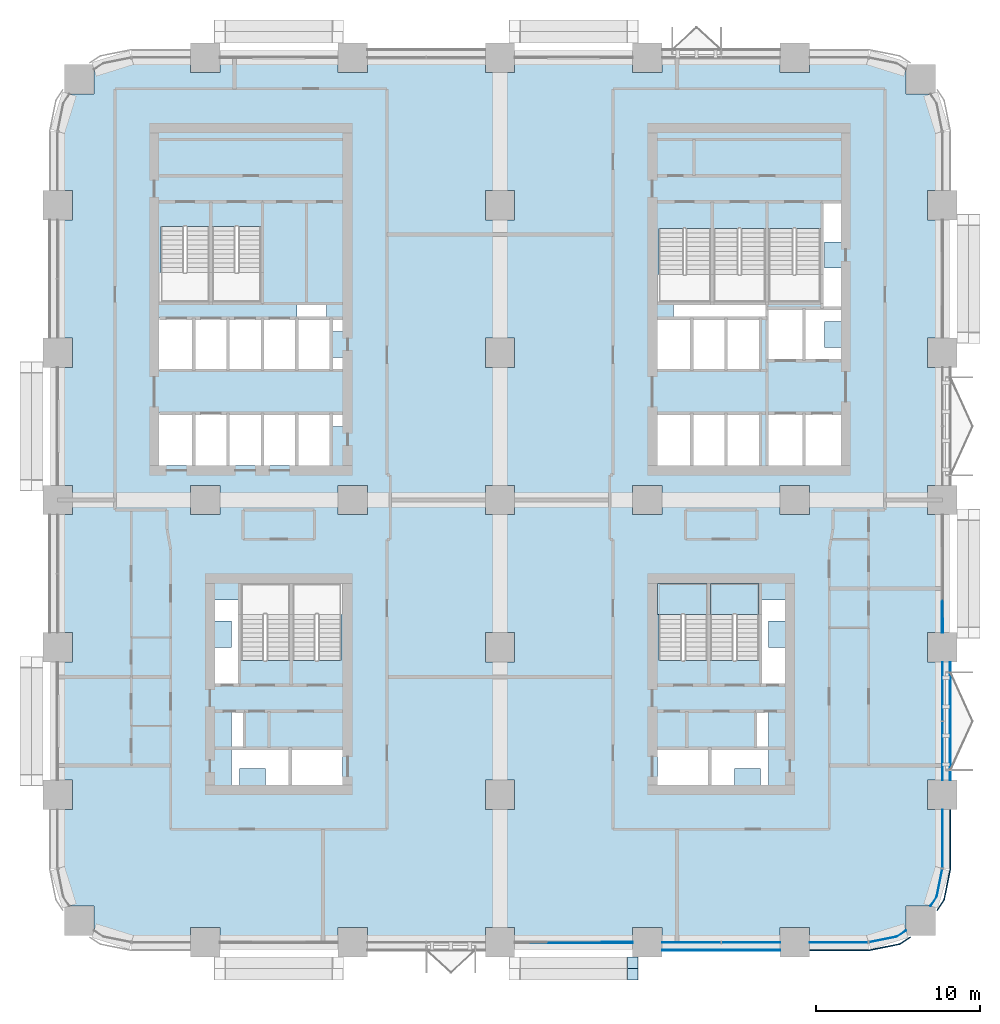
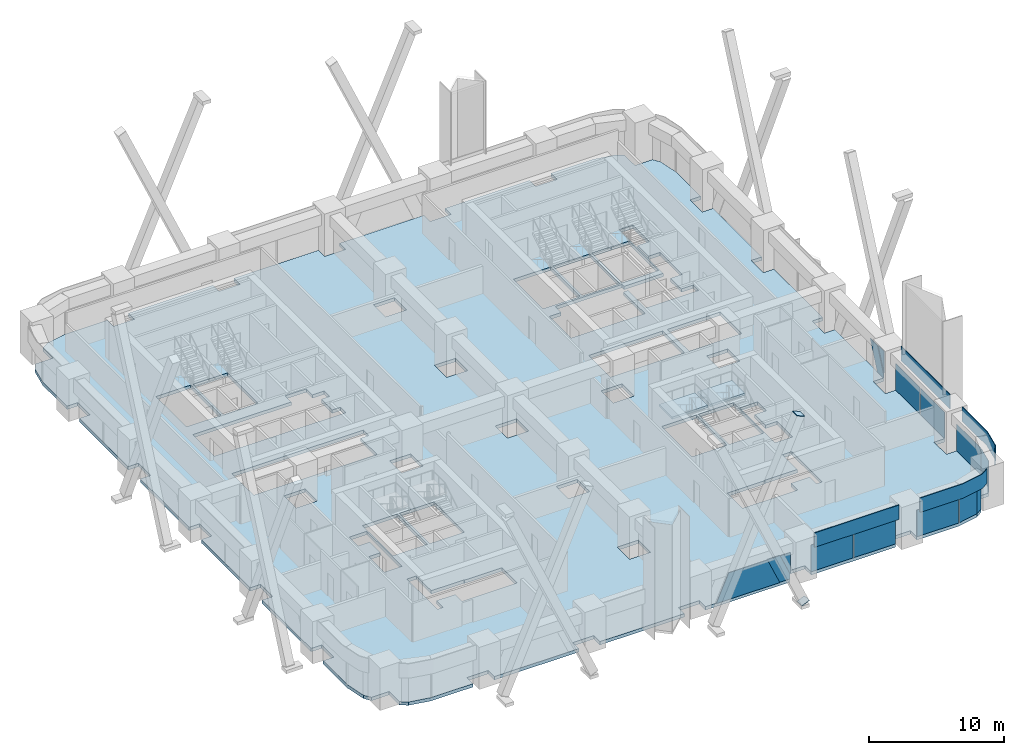
# One storey, part 12 of 24: 19 plates, 3 slabs, 8 elements without a shape of their own.
"""IFC4 building model written with IfcOpenShell, lengths in metres."""

from ifc_helpers import new_model, si_unit, direction, frame, origin, origin_2d, place, context, subcontext, project, spatial, polyline, rectangle, outline, extrude, material, layer, layer_set, type_object, element, aggregate, save


model = new_model("IFC4")

# Units and contexts
model_context = context("Model", 3, precision=1e-05, world=origin(), true_north=direction((0.0, 1.0)))
body_context = subcontext(model_context, "Body", "Model", "MODEL_VIEW")
ifc_project = project(units=[si_unit("LENGTHUNIT", "METRE"), si_unit("AREAUNIT", "SQUARE_METRE"), si_unit("VOLUMEUNIT", "CUBIC_METRE"), si_unit("PLANEANGLEUNIT", "RADIAN"), si_unit("MASSUNIT", "GRAM", prefix="KILO")], contexts=[model_context])

# Site, building, storey
site_placement = place(None, origin())
site = spatial("IfcSite", under=ifc_project, at=site_placement, CompositionType="ELEMENT")
building_placement = place(site_placement, origin())
building = spatial("IfcBuilding", under=site, at=building_placement, Name="Tessera Arch", CompositionType="ELEMENT")
storey_placement = place(building_placement, frame((0.0, 0.0, 61.39990234375)))
storey = spatial("IfcBuildingStorey", under=building, at=storey_placement, Name="L13", CompositionType="ELEMENT", Elevation=61.39990234375)

# Curtain wall, plates
ifc_material_1 = material(Name="CW1 curtain wall")
curtain_wall_type_1 = type_object("IfcCurtainWallType", Name="CW1 curtain wall", PredefinedType="NOTDEFINED", material=ifc_material_1)
curtain_wall_1_placement = place(storey_placement, origin())
curtain_wall_1 = element("IfcCurtainWall", 1, at=curtain_wall_1_placement, inside=storey, type_object=curtain_wall_type_1, Name="CW1 curtain wall S0.0/3 L13", PredefinedType="NOTDEFINED")
ifc_material_2 = material(Name="Clear low-e glass", Category="glass")
ifc_material_3 = material(Name="Clear low-e glass", Category="glass")
ifc_layer_1 = layer(ifc_material_3, 0.028076171875)
ifc_layer_set_1 = layer_set([ifc_layer_1], Name="CW1 glass panel")
plate_type_1 = type_object("IfcPlateType", Name="CW1 glass panel", PredefinedType="CURTAIN_PANEL", material=ifc_layer_set_1)
plate_1_placement = place(storey_placement, frame((38.68505859375, 0.0, 0.000244140625), z_axis=(0.0, 0.0, 1.0), x_axis=(1.0, 0.0, 0.0)))
plate_1 = element("IfcPlate", 2, at=plate_1_placement, type_object=plate_type_1, material=ifc_material_2, Name="CW1 glass panel S0.0/3 1.1.1", PredefinedType="CURTAIN_PANEL", context=body_context, shape_type="SweptSolid", body=[
    extrude(rectangle(XDim=3.570068359375, YDim=0.028076171875, at=origin_2d()), origin(), (0.0, 0.0, 1.0), 2.39990234375),
])
plate_2_placement = place(storey_placement, frame((42.31494140625, 0.0, 0.000244140625), z_axis=(0.0, 0.0, 1.0), x_axis=(1.0, 0.0, 0.0)))
plate_2 = element("IfcPlate", 3, at=plate_2_placement, type_object=plate_type_1, material=ifc_material_2, Name="CW1 glass panel S0.0/3 1.2.1", PredefinedType="CURTAIN_PANEL", context=body_context, shape_type="SweptSolid", body=[
    extrude(rectangle(XDim=3.570068359375, YDim=0.028076171875, at=origin_2d()), origin(), (0.0, 0.0, 1.0), 2.39990234375),
])

curtain_wall_2_placement = place(storey_placement, origin())
curtain_wall_2 = element("IfcCurtainWall", 4, at=curtain_wall_2_placement, inside=storey, type_object=curtain_wall_type_1, Name="CW1 curtain wall E54.0/1 L13", PredefinedType="NOTDEFINED")
plate_3_placement = place(storey_placement, frame((54.0, 11.68505859375, 0.000244140625), z_axis=(0.0, 0.0, 1.0), x_axis=(0.0, 1.0, 0.0)))
plate_3 = element("IfcPlate", 5, at=plate_3_placement, type_object=plate_type_1, material=ifc_material_2, Name="CW1 glass panel E54.0/1 1.1.1", PredefinedType="CURTAIN_PANEL", context=body_context, shape_type="SweptSolid", body=[
    extrude(rectangle(XDim=3.570068359375, YDim=0.028076171875, at=origin_2d()), origin(), (0.0, 0.0, 1.0), 2.39990234375),
])
plate_4_placement = place(storey_placement, frame((54.0, 15.31494140625, 0.000244140625), z_axis=(0.0, 0.0, 1.0), x_axis=(0.0, 1.0, 0.0)))
plate_4 = element("IfcPlate", 6, at=plate_4_placement, type_object=plate_type_1, material=ifc_material_2, Name="CW1 glass panel E54.0/1 1.2.1", PredefinedType="CURTAIN_PANEL", context=body_context, shape_type="SweptSolid", body=[
    extrude(rectangle(XDim=3.570068359375, YDim=0.028076171875, at=origin_2d()), origin(), (0.0, 0.0, 1.0), 2.39990234375),
])

# Plate
ifc_material_4 = material(Name="Pale anodised aluminium panel", Category="aluminium")
ifc_layer_2 = layer(ifc_material_4, 0.06005859375)
ifc_layer_set_2 = layer_set([ifc_layer_2], Name="CW1 spandrel panel")
plate_type_2 = type_object("IfcPlateType", Name="CW1 spandrel panel", PredefinedType="CURTAIN_PANEL", material=ifc_layer_set_2)
plate_5_placement = place(storey_placement, frame((40.5, -0.47998046875, 2.5), z_axis=(0.0, 0.0, 1.0), x_axis=(1.0, 0.0, 0.0)))
plate_5 = element("IfcPlate", 7, at=plate_5_placement, type_object=plate_type_2, Name="CW1 spandrel panel S0.0/3", PredefinedType="CURTAIN_PANEL", context=body_context, shape_type="SweptSolid", body=[
    extrude(rectangle(XDim=7.199951171875, YDim=0.06005859375, at=origin_2d()), origin(), (0.0, 0.0, 1.0), 1.300048828125),
])

aggregate(curtain_wall_1, [plate_1, plate_2, plate_5])

plate_6_placement = place(storey_placement, frame((54.47998046875, 13.5, 2.5), z_axis=(0.0, 0.0, 1.0), x_axis=(0.0, 1.0, 0.0)))
plate_6 = element("IfcPlate", 8, at=plate_6_placement, type_object=plate_type_2, Name="CW1 spandrel panel E54.0/1", PredefinedType="CURTAIN_PANEL", context=body_context, shape_type="SweptSolid", body=[
    extrude(rectangle(XDim=7.199951171875, YDim=0.06005859375, at=origin_2d()), origin(), (0.0, 0.0, 1.0), 1.300048828125),
])

aggregate(curtain_wall_2, [plate_3, plate_4, plate_6])

# Curtain wall, plates
ifc_material_5 = material(Name="CW2 curtain wall")
curtain_wall_type_2 = type_object("IfcCurtainWallType", Name="CW2 curtain wall", PredefinedType="NOTDEFINED", material=ifc_material_5)
curtain_wall_3_placement = place(storey_placement, origin())
curtain_wall_3 = element("IfcCurtainWall", 9, at=curtain_wall_3_placement, inside=storey, type_object=curtain_wall_type_2, Name="CW2 curtain wall S0.0/4 L13", PredefinedType="NOTDEFINED")
ifc_material_6 = material(Name="Clear low-e glass", Category="glass")
ifc_layer_3 = layer(ifc_material_6, 0.028076171875)
ifc_layer_set_3 = layer_set([ifc_layer_3], Name="CW2 glass panel")
plate_type_3 = type_object("IfcPlateType", Name="CW2 glass panel", PredefinedType="CURTAIN_PANEL", material=ifc_layer_set_3)
plate_7_placement = place(storey_placement, frame((47.679931640625, 0.0, 0.000244140625), z_axis=(0.0, 0.0, 1.0), x_axis=(1.0, 0.0, 0.0)))
plate_7 = element("IfcPlate", 10, at=plate_7_placement, type_object=plate_type_3, material=ifc_material_2, Name="CW2 glass panel S0.0/4 1.1", PredefinedType="CURTAIN_PANEL", context=body_context, shape_type="SweptSolid", body=[
    extrude(rectangle(XDim=3.56005859375, YDim=0.028076171875, at=origin_2d()), origin(), (0.0, 0.0, 1.0), 2.39990234375),
])
plate_8_placement = place(storey_placement, origin())
plate_8 = element("IfcPlate", 11, at=plate_8_placement, type_object=plate_type_3, material=ifc_material_2, Name="CW2 curved glass panel S0.0/4 2.1", PredefinedType="CURTAIN_PANEL", context=body_context, shape_type="SweptSolid", body=[
    extrude(outline(polyline([(51.216552734375, 0.355712890625), (49.53662109375, 0.021484375), (49.5419921875, -0.005859375), (51.2275390625, 0.329345703125), (51.789794921875, 0.705078125), (51.774169921875, 0.728271484375), (51.216552734375, 0.355712890625)])), origin(), (0.0, 0.0, 1.0), 2.400146484375),
])

curtain_wall_4_placement = place(storey_placement, origin())
curtain_wall_4 = element("IfcCurtainWall", 12, at=curtain_wall_4_placement, inside=storey, type_object=curtain_wall_type_2, Name="CW2 curtain wall E54.0/0 L13", PredefinedType="NOTDEFINED")
plate_9_placement = place(storey_placement, frame((54.0, 6.320068359375, 0.000244140625), z_axis=(0.0, 0.0, 1.0), x_axis=(0.0, 1.0, 0.0)))
plate_9 = element("IfcPlate", 13, at=plate_9_placement, type_object=plate_type_3, material=ifc_material_2, Name="CW2 glass panel E54.0/0 1.1", PredefinedType="CURTAIN_PANEL", context=body_context, shape_type="SweptSolid", body=[
    extrude(rectangle(XDim=3.56005859375, YDim=0.028076171875, at=origin_2d()), origin(), (0.0, 0.0, 1.0), 2.39990234375),
])
plate_10_placement = place(storey_placement, origin())
plate_10 = element("IfcPlate", 14, at=plate_10_placement, type_object=plate_type_3, material=ifc_material_2, Name="CW2 curved glass panel E54.0/0 2.1", PredefinedType="CURTAIN_PANEL", context=body_context, shape_type="SweptSolid", body=[
    extrude(outline(polyline([(53.644287109375, 2.783447265625), (53.271728515625, 2.225830078125), (53.294921875, 2.210205078125), (53.670654296875, 2.7724609375), (54.005859375, 4.4580078125), (53.978515625, 4.46337890625), (53.644287109375, 2.783447265625)])), origin(), (0.0, 0.0, 1.0), 2.400146484375),
])

# Plate
ifc_material_7 = material(Name="Pale anodised aluminium panel", Category="aluminium")
ifc_layer_4 = layer(ifc_material_7, 0.06005859375)
ifc_layer_set_4 = layer_set([ifc_layer_4], Name="CW2 spandrel panel")
plate_type_4 = type_object("IfcPlateType", Name="CW2 spandrel panel", PredefinedType="CURTAIN_PANEL", material=ifc_layer_set_4)
plate_11_placement = place(storey_placement, frame((0.0, 0.0, 2.5)))
plate_11 = element("IfcPlate", 15, at=plate_11_placement, type_object=plate_type_4, Name="CW2 spandrel panel S0.0/4", PredefinedType="CURTAIN_PANEL", context=body_context, shape_type="SweptSolid", body=[
    extrude(outline(polyline([(49.499267578125, -0.449951171875), (45.89990234375, -0.449951171875), (45.89990234375, -0.510009765625), (49.500732421875, -0.510009765625), (49.550048828125, -0.507568359375), (49.598876953125, -0.500244140625), (51.322265625, -0.157470703125), (51.3701171875, -0.1455078125), (51.417236328125, -0.128662109375), (51.462646484375, -0.107177734375), (51.5048828125, -0.08203125), (52.0654296875, 0.292724609375), (52.031982421875, 0.342529296875), (51.47265625, -0.03125), (51.434326171875, -0.05419921875), (51.394287109375, -0.0732421875), (51.352783203125, -0.088134765625), (51.30908203125, -0.09912109375), (49.588623046875, -0.441162109375), (49.544189453125, -0.44775390625), (49.499267578125, -0.449951171875)])), origin(), (0.0, 0.0, 1.0), 1.300048828125),
])

aggregate(curtain_wall_3, [plate_7, plate_8, plate_11])

plate_12_placement = place(storey_placement, frame((0.0, 0.0, 2.5)))
plate_12 = element("IfcPlate", 16, at=plate_12_placement, type_object=plate_type_4, Name="CW2 spandrel panel E54.0/0", PredefinedType="CURTAIN_PANEL", context=body_context, shape_type="SweptSolid", body=[
    extrude(outline(polyline([(54.03125, 2.52734375), (53.657470703125, 1.968017578125), (53.707275390625, 1.9345703125), (54.08203125, 2.4951171875), (54.107177734375, 2.537353515625), (54.128662109375, 2.582763671875), (54.1455078125, 2.6298828125), (54.157470703125, 2.677734375), (54.500244140625, 4.401123046875), (54.507568359375, 4.449951171875), (54.510009765625, 4.499267578125), (54.510009765625, 8.10009765625), (54.449951171875, 8.10009765625), (54.449951171875, 4.500732421875), (54.44775390625, 4.455810546875), (54.441162109375, 4.411376953125), (54.09912109375, 2.69091796875), (54.088134765625, 2.647216796875), (54.0732421875, 2.605712890625), (54.05419921875, 2.565673828125), (54.03125, 2.52734375)])), origin(), (0.0, 0.0, 1.0), 1.300048828125),
])

aggregate(curtain_wall_4, [plate_9, plate_10, plate_12])

# Curtain wall, plate
ifc_material_8 = material(Name="CW3 curtain wall")
curtain_wall_type_3 = type_object("IfcCurtainWallType", Name="CW3 curtain wall", PredefinedType="NOTDEFINED", material=ifc_material_8)
curtain_wall_5_placement = place(storey_placement, origin())
curtain_wall_5 = element("IfcCurtainWall", 17, at=curtain_wall_5_placement, inside=storey, type_object=curtain_wall_type_3, Name="CW3 curtain wall S0.0/2 L13", PredefinedType="NOTDEFINED")
ifc_material_9 = material(Name="Pale anodised aluminium panel", Category="aluminium")
ifc_layer_5 = layer(ifc_material_9, 0.06005859375)
ifc_layer_set_5 = layer_set([ifc_layer_5], Name="CW3 diagonal panel")
plate_type_5 = type_object("IfcPlateType", Name="CW3 diagonal panel", PredefinedType="CURTAIN_PANEL", material=ifc_layer_set_5)
plate_13_placement = place(storey_placement, frame((35.10009765625, -0.030029296875, 0.0), z_axis=(0.0, -1.0, 0.0), x_axis=(0.0, 0.0, 1.0)))
plate_13 = element("IfcPlate", 18, at=plate_13_placement, type_object=plate_type_5, Name="CW3 diagonal panel S0.0/2 1", PredefinedType="CURTAIN_PANEL", context=body_context, shape_type="SweptSolid", body=[
    extrude(outline(polyline([(0.0, 0.0), (0.4365234375, 0.0), (2.400146484375, 0.8623046875), (2.400146484375, 1.94775390625), (0.0, 0.89404296875), (0.0, 0.0)])), origin(), (0.0, 0.0, -1.0), 0.06005859375),
])

curtain_wall_6_placement = place(storey_placement, origin())
curtain_wall_6 = element("IfcCurtainWall", 19, at=curtain_wall_6_placement, inside=storey, type_object=curtain_wall_type_3, Name="CW3 curtain wall E54.0/2 L13", PredefinedType="NOTDEFINED")
plate_14_placement = place(storey_placement, frame((54.030029296875, 20.84765625, 2.400146484375), z_axis=(1.0, 0.0, 0.0), x_axis=(0.0, -1.0, 0.0)))
plate_14 = element("IfcPlate", 20, at=plate_14_placement, type_object=plate_type_5, Name="CW3 diagonal panel E54.0/2 2", PredefinedType="CURTAIN_PANEL", context=body_context, shape_type="SweptSolid", body=[
    extrude(outline(polyline([(0.0, 0.0), (1.08544921875, 0.0), (1.94775390625, 1.963623046875), (1.94775390625, 2.400146484375), (1.0537109375, 2.400146484375), (0.0, 0.0)])), origin(), (0.0, 0.0, -1.0), 0.06005859375),
])

# Plate
ifc_material_10 = material(Name="Clear low-e glass", Category="glass")
ifc_layer_6 = layer(ifc_material_10, 0.028076171875)
ifc_layer_set_6 = layer_set([ifc_layer_6], Name="CW3 glass panel")
plate_type_6 = type_object("IfcPlateType", Name="CW3 glass panel", PredefinedType="CURTAIN_PANEL", material=ifc_layer_set_6)
plate_15_placement = place(storey_placement, frame((33.15234375, -0.05810546875, 2.400146484375), z_axis=(0.0, -1.0, 0.0), x_axis=(-1.0, 0.0, 0.0)))
plate_15 = element("IfcPlate", 21, at=plate_15_placement, type_object=plate_type_6, material=ifc_material_2, Name="CW3 triangulated glass panel S0.0/2 2", PredefinedType="CURTAIN_PANEL", context=body_context, shape_type="SweptSolid", body=[
    extrude(outline(polyline([(0.0, 0.0), (3.3046875, 0.0), (4.3583984375, 2.400146484375), (-1.0537109375, 2.400146484375), (0.0, 0.0)])), origin(), (0.0, 0.0, -1.0), 0.028076171875),
])

plate_16_placement = place(storey_placement, frame((35.10009765625, -0.05810546875, 2.400146484375), z_axis=(0.0, -1.0, 0.0), x_axis=(-1.0, 0.0, 0.0)))
plate_16 = element("IfcPlate", 22, at=plate_16_placement, type_object=plate_type_6, material=ifc_material_2, Name="CW3 triangulated glass panel S0.0/2 3", PredefinedType="CURTAIN_PANEL", context=body_context, shape_type="SweptSolid", body=[
    extrude(outline(polyline([(0.0, 0.0), (0.8623046875, 0.0), (0.0, 1.963623046875), (0.0, 0.0)])), origin(), (0.0, 0.0, -1.0), 0.028076171875),
])

aggregate(curtain_wall_5, [plate_15, plate_16, plate_13])

plate_17_placement = place(storey_placement, frame((54.05810546875, 18.89990234375, 2.400146484375), z_axis=(1.0, 0.0, 0.0), x_axis=(0.0, 0.0, -1.0)))
plate_17 = element("IfcPlate", 23, at=plate_17_placement, type_object=plate_type_6, material=ifc_material_2, Name="CW3 triangulated glass panel E54.0/2 1", PredefinedType="CURTAIN_PANEL", context=body_context, shape_type="SweptSolid", body=[
    extrude(outline(polyline([(0.0, 0.0), (1.963623046875, 0.0), (0.0, 0.8623046875), (0.0, 0.0)])), origin(), (0.0, 0.0, -1.0), 0.028076171875),
])

aggregate(curtain_wall_6, [plate_17, plate_14])

# Plates
ifc_material_11 = material(Name="Steel A572 Gr50", Category="steel")
ifc_layer_7 = layer(ifc_material_11, 0.0400390625)
ifc_layer_set_7 = layer_set([ifc_layer_7], Name="End plate BOX 700x700x50")
plate_type_7 = type_object("IfcPlateType", Name="End plate BOX 700x700x50", PredefinedType="SHEET", material=ifc_layer_set_7)
for number, where, z_axis, x_axis, name in (
    (24, (35.10009765625, -1.25, 15.60009765625), (0.397607437634, 0.0, 0.91755562531), (0.0, 1.0, 0.0), "End plate BOX 700x700x50 S0.0-2 A2 L13"),
    (25, (35.115966796875, -1.949951171875, -0.83642578125), (-0.397607437634, 0.0, 0.91755562531), (0.0, -1.0, 0.0), "End plate BOX 700x700x50 S0.0-2 B1 L13"),
):
    element("IfcPlate", number, at=place(storey_placement, frame(where, z_axis=z_axis, x_axis=x_axis)), inside=storey, type_object=plate_type_7, Name=name, PredefinedType="SHEET", context=body_context, shape_type="SweptSolid", body=[
        extrude(rectangle(XDim=0.699951171875, YDim=0.699951171875, at=origin_2d()), origin(), (0.0, 0.0, 1.0), 0.039794921875),
    ])

# Slab
ifc_material_12 = material(Name="Concrete C40/50", Category="concrete")
ifc_layer_8 = layer(ifc_material_12, 0.300048828125)
ifc_layer_set_8 = layer_set([ifc_layer_8], Name="Floor slab 300 Concrete C40/50")
slab_type_1 = type_object("IfcSlabType", Name="Floor slab 300 Concrete C40/50", PredefinedType="FLOOR", material=ifc_layer_set_8)
slab_1_placement = place(storey_placement, frame((0.0, 0.0, -0.2998046875)))
element("IfcSlab", 26, at=slab_1_placement, inside=storey, type_object=slab_type_1, Name="Floor slab L13 1", PredefinedType="FLOOR", context=body_context, shape_type="SweptSolid", body=[
    extrude(outline(polyline([(4.5, 0.0), (2.77783203125, 0.342529296875), (2.218017578125, 0.716552734375), (2.218017578125, 2.218017578125), (0.716552734375, 2.218017578125), (0.342529296875, 2.77783203125), (0.0, 4.5), (0.0, 8.10009765625), (0.89990234375, 8.10009765625), (0.89990234375, 9.89990234375), (0.0, 9.89990234375), (0.0, 17.10009765625), (0.89990234375, 17.10009765625), (0.89990234375, 18.89990234375), (0.0, 18.89990234375), (0.0, 26.10009765625), (0.89990234375, 26.10009765625), (0.89990234375, 27.89990234375), (0.0, 27.89990234375), (0.0, 35.10009765625), (0.89990234375, 35.10009765625), (0.89990234375, 36.89990234375), (0.0, 36.89990234375), (0.0, 44.10009765625), (0.89990234375, 44.10009765625), (0.89990234375, 45.89990234375), (0.0, 45.89990234375), (0.0, 49.5), (0.342529296875, 51.22216796875), (0.716552734375, 51.781982421875), (2.218017578125, 51.781982421875), (2.218017578125, 53.283447265625), (2.77783203125, 53.657470703125), (4.5, 54.0), (8.10009765625, 54.0), (8.10009765625, 53.10009765625), (9.89990234375, 53.10009765625), (9.89990234375, 54.0), (17.10009765625, 54.0), (17.10009765625, 53.10009765625), (18.89990234375, 53.10009765625), (18.89990234375, 54.0), (26.10009765625, 54.0), (26.10009765625, 53.10009765625), (27.89990234375, 53.10009765625), (27.89990234375, 54.0), (35.10009765625, 54.0), (35.10009765625, 53.10009765625), (36.89990234375, 53.10009765625), (36.89990234375, 54.0), (44.10009765625, 54.0), (44.10009765625, 53.10009765625), (45.89990234375, 53.10009765625), (45.89990234375, 54.0), (49.5, 54.0), (51.22216796875, 53.657470703125), (51.781982421875, 53.283447265625), (51.781982421875, 51.781982421875), (53.283447265625, 51.781982421875), (53.657470703125, 51.22216796875), (54.0, 49.5), (54.0, 45.89990234375), (53.10009765625, 45.89990234375), (53.10009765625, 44.10009765625), (54.0, 44.10009765625), (54.0, 36.89990234375), (53.10009765625, 36.89990234375), (53.10009765625, 35.10009765625), (54.0, 35.10009765625), (54.0, 27.89990234375), (53.10009765625, 27.89990234375), (53.10009765625, 26.10009765625), (54.0, 26.10009765625), (54.0, 18.89990234375), (53.10009765625, 18.89990234375), (53.10009765625, 17.10009765625), (54.0, 17.10009765625), (54.0, 9.89990234375), (53.10009765625, 9.89990234375), (53.10009765625, 8.10009765625), (54.0, 8.10009765625), (54.0, 4.5), (53.657470703125, 2.77783203125), (53.283447265625, 2.218017578125), (51.781982421875, 2.218017578125), (51.781982421875, 0.716552734375), (51.22216796875, 0.342529296875), (49.5, 0.0), (45.89990234375, 0.0), (45.89990234375, 0.89990234375), (44.10009765625, 0.89990234375), (44.10009765625, 0.0), (36.89990234375, 0.0), (36.89990234375, 0.89990234375), (35.10009765625, 0.89990234375), (35.10009765625, 0.0), (27.89990234375, 0.0), (27.89990234375, 0.89990234375), (26.10009765625, 0.89990234375), (26.10009765625, 0.0), (18.89990234375, 0.0), (18.89990234375, 0.89990234375), (17.10009765625, 0.89990234375), (17.10009765625, 0.0), (9.89990234375, 0.0), (9.89990234375, 0.89990234375), (8.10009765625, 0.89990234375), (8.10009765625, 0.0), (4.5, 0.0)]), holes=[polyline([(11.10009765625, 9.60009765625), (11.10009765625, 10.60009765625), (12.699951171875, 10.60009765625), (12.699951171875, 9.60009765625), (14.199951171875, 9.60009765625), (17.39990234375, 9.60009765625), (17.39990234375, 11.85009765625), (14.199951171875, 11.85009765625), (14.199951171875, 11.89990234375), (11.39990234375, 11.89990234375), (11.39990234375, 14.10009765625), (10.60009765625, 14.10009765625), (10.60009765625, 11.89990234375), (10.60009765625, 9.60009765625), (11.10009765625, 9.60009765625)]), polyline([(9.60009765625, 19.60009765625), (10.60009765625, 19.60009765625), (10.60009765625, 18.0), (9.60009765625, 18.0), (9.60009765625, 15.699951171875), (11.10009765625, 15.699951171875), (11.10009765625, 20.89990234375), (9.60009765625, 20.89990234375), (9.60009765625, 19.60009765625)]), polyline([(12.60009765625, 17.2099609375), (12.60009765625, 17.199951171875), (12.75, 17.199951171875), (12.75, 17.2099609375), (14.14990234375, 17.2099609375), (14.14990234375, 21.699951171875), (11.199951171875, 21.699951171875), (11.199951171875, 17.2099609375), (12.60009765625, 17.2099609375)]), polyline([(8.10009765625, 26.10009765625), (9.89990234375, 26.10009765625), (9.89990234375, 27.89990234375), (8.10009765625, 27.89990234375), (8.10009765625, 26.10009765625)]), polyline([(12.5, 29.10009765625), (14.60009765625, 29.10009765625), (16.699951171875, 29.10009765625), (16.699951171875, 31.5), (17.39990234375, 31.5), (17.39990234375, 32.300048828125), (16.699951171875, 32.300048828125), (14.60009765625, 32.300048828125), (12.5, 32.300048828125), (10.39990234375, 32.300048828125), (8.300048828125, 32.300048828125), (6.199951171875, 32.300048828125), (6.199951171875, 29.10009765625), (8.300048828125, 29.10009765625), (10.39990234375, 29.10009765625), (12.5, 29.10009765625)]), polyline([(10.39990234375, 38.10009765625), (8.300048828125, 38.10009765625), (6.199951171875, 38.10009765625), (6.199951171875, 34.89990234375), (8.300048828125, 34.89990234375), (10.39990234375, 34.89990234375), (12.5, 34.89990234375), (14.60009765625, 34.89990234375), (16.699951171875, 34.89990234375), (17.39990234375, 34.89990234375), (17.39990234375, 35.699951171875), (16.699951171875, 35.699951171875), (16.699951171875, 37.300048828125), (17.39990234375, 37.300048828125), (17.39990234375, 38.10009765625), (16.699951171875, 38.10009765625), (16.39990234375, 38.10009765625), (16.39990234375, 39.0), (14.60009765625, 39.0), (14.60009765625, 38.10009765625), (12.5, 38.10009765625), (10.39990234375, 38.10009765625)]), polyline([(11.0, 43.699951171875), (10.85009765625, 43.699951171875), (10.85009765625, 43.68994140625), (9.449951171875, 43.68994140625), (9.449951171875, 39.199951171875), (12.39990234375, 39.199951171875), (12.39990234375, 43.68994140625), (11.0, 43.68994140625), (11.0, 43.699951171875)]), polyline([(7.85009765625, 43.699951171875), (7.699951171875, 43.699951171875), (7.699951171875, 43.68994140625), (6.300048828125, 43.68994140625), (6.300048828125, 39.199951171875), (9.25, 39.199951171875), (9.25, 43.68994140625), (7.85009765625, 43.68994140625), (7.85009765625, 43.699951171875)]), polyline([(26.10009765625, 8.10009765625), (27.89990234375, 8.10009765625), (27.89990234375, 9.89990234375), (26.10009765625, 9.89990234375), (26.10009765625, 8.10009765625)]), polyline([(39.800048828125, 9.60009765625), (41.300048828125, 9.60009765625), (41.300048828125, 10.60009765625), (42.89990234375, 10.60009765625), (42.89990234375, 9.60009765625), (43.39990234375, 9.60009765625), (43.39990234375, 11.89990234375), (43.39990234375, 14.10009765625), (42.60009765625, 14.10009765625), (42.60009765625, 11.89990234375), (39.800048828125, 11.89990234375), (39.800048828125, 11.85009765625), (36.60009765625, 11.85009765625), (36.60009765625, 9.60009765625), (39.800048828125, 9.60009765625)]), polyline([(26.10009765625, 18.89990234375), (26.10009765625, 17.10009765625), (27.89990234375, 17.10009765625), (27.89990234375, 18.89990234375), (26.10009765625, 18.89990234375)]), polyline([(15.75, 17.199951171875), (15.89990234375, 17.199951171875), (15.89990234375, 17.2099609375), (17.300048828125, 17.2099609375), (17.300048828125, 21.699951171875), (14.35009765625, 21.699951171875), (14.35009765625, 17.2099609375), (15.75, 17.2099609375), (15.75, 17.199951171875)]), polyline([(38.10009765625, 17.199951171875), (38.25, 17.199951171875), (38.25, 17.2099609375), (39.64990234375, 17.2099609375), (39.64990234375, 21.699951171875), (36.699951171875, 21.699951171875), (36.699951171875, 17.2099609375), (38.10009765625, 17.2099609375), (38.10009765625, 17.199951171875)]), polyline([(17.10009765625, 26.10009765625), (18.89990234375, 26.10009765625), (18.89990234375, 27.89990234375), (17.10009765625, 27.89990234375), (17.10009765625, 26.10009765625)]), polyline([(26.10009765625, 27.89990234375), (26.10009765625, 26.10009765625), (27.89990234375, 26.10009765625), (27.89990234375, 27.89990234375), (26.10009765625, 27.89990234375)]), polyline([(35.10009765625, 27.89990234375), (35.10009765625, 26.10009765625), (36.89990234375, 26.10009765625), (36.89990234375, 27.89990234375), (35.10009765625, 27.89990234375)]), polyline([(36.60009765625, 32.300048828125), (36.60009765625, 29.10009765625), (38.699951171875, 29.10009765625), (40.800048828125, 29.10009765625), (42.89990234375, 29.10009765625), (42.89990234375, 32.300048828125), (40.800048828125, 32.300048828125), (38.699951171875, 32.300048828125), (36.60009765625, 32.300048828125)]), polyline([(26.10009765625, 35.10009765625), (27.89990234375, 35.10009765625), (27.89990234375, 36.89990234375), (26.10009765625, 36.89990234375), (26.10009765625, 35.10009765625)]), polyline([(38.699951171875, 34.89990234375), (40.800048828125, 34.89990234375), (42.89990234375, 34.89990234375), (42.89990234375, 38.10009765625), (43.300048828125, 38.10009765625), (43.300048828125, 35.5), (45.550048828125, 35.5), (47.800048828125, 35.5), (47.800048828125, 36.300048828125), (46.800048828125, 36.300048828125), (46.800048828125, 37.89990234375), (47.800048828125, 37.89990234375), (47.800048828125, 38.699951171875), (47.800048828125, 41.14990234375), (46.800048828125, 41.14990234375), (46.800048828125, 42.75), (47.800048828125, 42.75), (47.800048828125, 45.199951171875), (46.64990234375, 45.199951171875), (46.64990234375, 38.699951171875), (45.550048828125, 38.699951171875), (43.300048828125, 38.699951171875), (43.300048828125, 39.0), (37.60009765625, 39.0), (37.60009765625, 38.10009765625), (36.60009765625, 38.10009765625), (36.60009765625, 34.89990234375), (38.699951171875, 34.89990234375)]), polyline([(38.330078125, 43.580078125), (38.219970703125, 43.580078125), (38.219970703125, 43.570068359375), (36.699951171875, 43.570068359375), (36.699951171875, 39.199951171875), (39.85009765625, 39.199951171875), (39.85009765625, 43.570068359375), (38.330078125, 43.570068359375), (38.330078125, 43.580078125)]), polyline([(26.10009765625, 44.10009765625), (27.89990234375, 44.10009765625), (27.89990234375, 45.89990234375), (26.10009765625, 45.89990234375), (26.10009765625, 44.10009765625)]), polyline([(42.89990234375, 15.699951171875), (44.39990234375, 15.699951171875), (44.39990234375, 18.0), (43.39990234375, 18.0), (43.39990234375, 19.60009765625), (44.39990234375, 19.60009765625), (44.39990234375, 20.89990234375), (42.89990234375, 20.89990234375), (42.89990234375, 15.699951171875)]), polyline([(41.25, 17.199951171875), (41.39990234375, 17.199951171875), (41.39990234375, 17.2099609375), (42.800048828125, 17.2099609375), (42.800048828125, 21.699951171875), (39.85009765625, 21.699951171875), (39.85009765625, 17.2099609375), (41.25, 17.2099609375), (41.25, 17.199951171875)]), polyline([(44.10009765625, 26.10009765625), (45.89990234375, 26.10009765625), (45.89990234375, 27.89990234375), (44.10009765625, 27.89990234375), (44.10009765625, 26.10009765625)]), polyline([(45.550048828125, 29.10009765625), (47.800048828125, 29.10009765625), (47.800048828125, 32.300048828125), (45.550048828125, 32.300048828125), (43.300048828125, 32.300048828125), (43.300048828125, 29.10009765625), (45.550048828125, 29.10009765625)]), polyline([(45.030029296875, 43.570068359375), (45.030029296875, 43.580078125), (44.919921875, 43.580078125), (44.919921875, 43.570068359375), (43.39990234375, 43.570068359375), (43.39990234375, 39.199951171875), (46.550048828125, 39.199951171875), (46.550048828125, 43.570068359375), (45.030029296875, 43.570068359375)]), polyline([(41.679931640625, 43.580078125), (41.570068359375, 43.580078125), (41.570068359375, 43.570068359375), (40.050048828125, 43.570068359375), (40.050048828125, 39.199951171875), (43.199951171875, 39.199951171875), (43.199951171875, 43.570068359375), (41.679931640625, 43.570068359375), (41.679931640625, 43.580078125)])]), origin(), (0.0, 0.0, 1.0), 0.2998046875),
])

# Stair, slab
ifc_material_13 = material(Name="Concrete C40/50", Category="concrete")
stair_type = type_object("IfcStairType", Name="Dogleg stair 1400", PredefinedType="HALF_TURN_STAIR", material=ifc_material_13)
stair_1_placement = place(storey_placement, origin())
stair_1 = element("IfcStair", 27, at=stair_1_placement, inside=storey, type_object=stair_type, Name="L13 S3a", PredefinedType="HALF_TURN_STAIR")
ifc_material_14 = material(Name="Concrete C40/50", Category="concrete")
ifc_layer_9 = layer(ifc_material_14, 0.300048828125)
ifc_layer_set_9 = layer_set([ifc_layer_9], Name="Stair landing 300")
slab_type_2 = type_object("IfcSlabType", Name="Stair landing 300", PredefinedType="LANDING", material=ifc_layer_set_9)
slab_2_placement = place(storey_placement, frame((0.0, 0.0, 1.7001953125)))
slab_2 = element("IfcSlab", 28, at=slab_2_placement, type_object=slab_type_2, Name="S3a landing 1", PredefinedType="LANDING", context=body_context, shape_type="SweptSolid", body=[
    extrude(outline(polyline([(39.64990234375, 20.0), (39.64990234375, 21.89990234375), (36.60009765625, 21.89990234375), (36.60009765625, 20.0), (39.64990234375, 20.0)])), origin(), (0.0, 0.0, 1.0), 0.199951171875),
])
aggregate(stair_1, [slab_2])

stair_2_placement = place(storey_placement, origin())
stair_2 = element("IfcStair", 29, at=stair_2_placement, inside=storey, type_object=stair_type, Name="L13 S3b", PredefinedType="HALF_TURN_STAIR")
slab_3_placement = place(storey_placement, frame((0.0, 0.0, 1.7001953125)))
slab_3 = element("IfcSlab", 30, at=slab_3_placement, type_object=slab_type_2, Name="S3b landing 1", PredefinedType="LANDING", context=body_context, shape_type="SweptSolid", body=[
    extrude(outline(polyline([(42.800048828125, 20.0), (42.800048828125, 21.89990234375), (39.85009765625, 21.89990234375), (39.85009765625, 20.0), (42.800048828125, 20.0)])), origin(), (0.0, 0.0, 1.0), 0.199951171875),
])
aggregate(stair_2, [slab_3])

save(model, "model.ifc")
